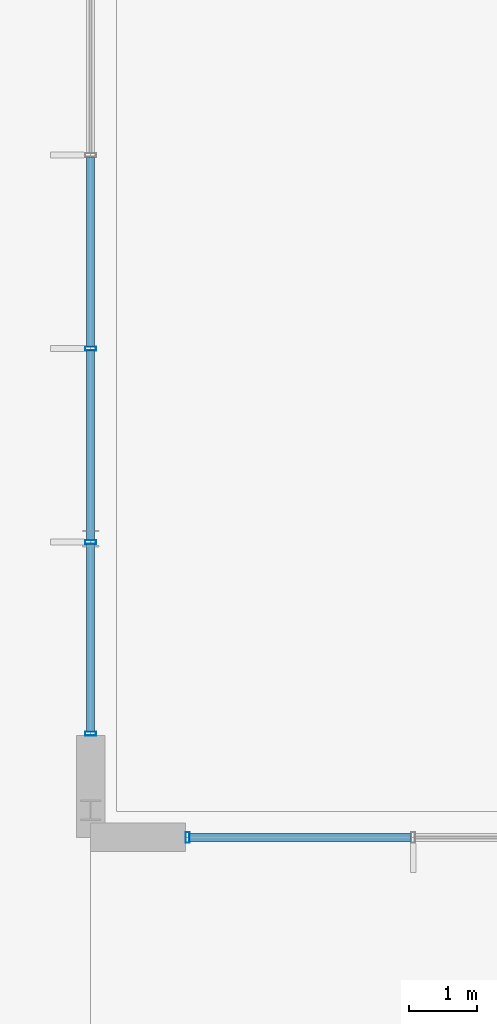
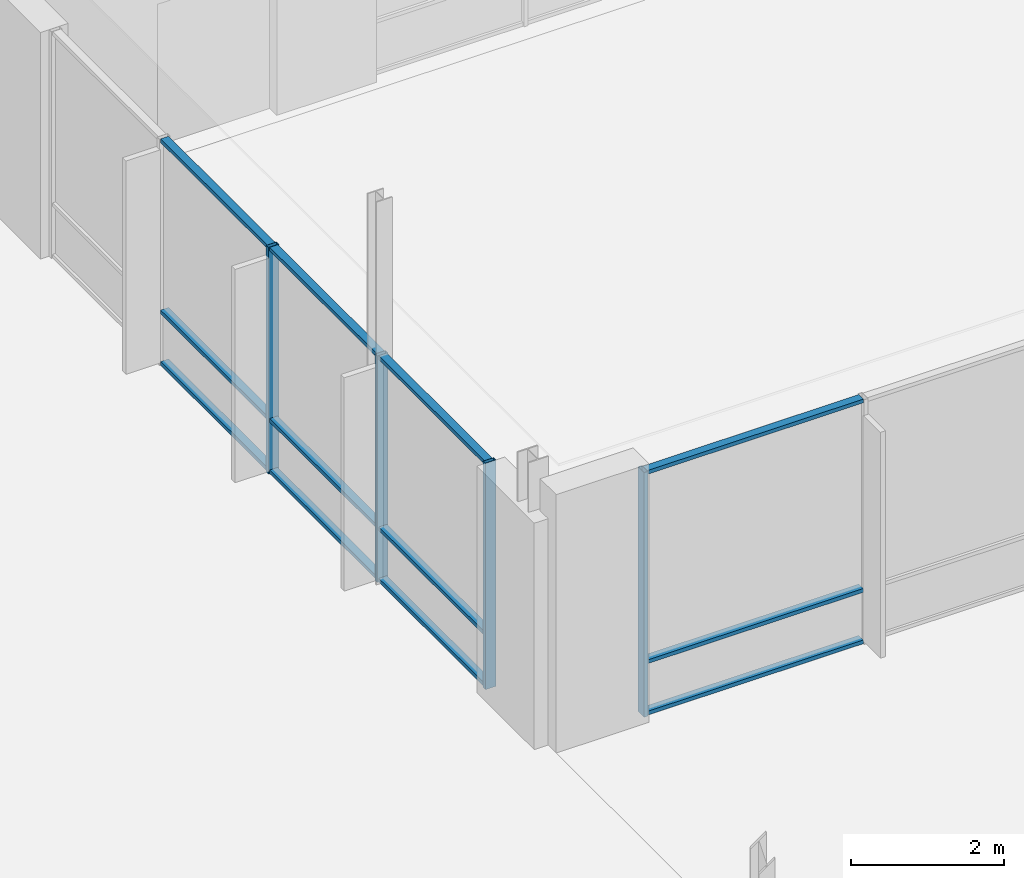
# One storey, part 125 of 233: 16 members, 2 elements without a shape of their own.
"""IFC4 building model written with IfcOpenShell, lengths in metres."""

from ifc_helpers import new_model, si_unit, direction, frame, origin, origin_2d, place, context, subcontext, project, spatial, hollow_rectangle, extrude, material, material_profile, profile_set, type_object, element, aggregate, save


model = new_model("IFC4")

# Units and contexts
model_context = context("Model", 3, precision=1e-05, world=origin(), true_north=direction((0.0, 1.0)))
body_context = subcontext(model_context, "Body", "Model", "MODEL_VIEW")
ifc_project = project(units=[si_unit("LENGTHUNIT", "METRE"), si_unit("AREAUNIT", "SQUARE_METRE"), si_unit("VOLUMEUNIT", "CUBIC_METRE"), si_unit("PLANEANGLEUNIT", "RADIAN"), si_unit("MASSUNIT", "GRAM", prefix="KILO")], contexts=[model_context])

# Site, building, storey
site_placement = place(None, origin())
site = spatial("IfcSite", under=ifc_project, at=site_placement, CompositionType="ELEMENT")
building_placement = place(site_placement, origin())
building = spatial("IfcBuilding", under=site, at=building_placement, Name="Zavelmont Quarter", CompositionType="ELEMENT")
storey_placement = place(building_placement, origin())
storey = spatial("IfcBuildingStorey", under=building, at=storey_placement, Name="L00", CompositionType="ELEMENT", Elevation=0.0)

# Curtain wall, member
ifc_material_1 = material(Name="Thermally broken aluminium and double low-E safety glazing", Category="aluminium")
curtain_wall_type_1 = type_object("IfcCurtainWallType", Name="CW-1340X390", PredefinedType="NOTDEFINED", material=ifc_material_1)
curtain_wall_1_placement = place(storey_placement, origin())
curtain_wall_1 = element("IfcCurtainWall", 1, at=curtain_wall_1_placement, inside=storey, type_object=curtain_wall_type_1, Name="L00 unitised curtain wall CW-1340X390", PredefinedType="NOTDEFINED")
ifc_material_2 = material(Name="Powder-coated aluminium EN AW-6063-T6", Category="aluminium")
ifc_material_profile_1 = material_profile(ifc_material_2, hollow_rectangle(XDim=0.06005859375, YDim=0.159912109375, WallThickness=0.00390625, at=origin_2d()), Name="CWM60X160")
ifc_profile_set_1 = profile_set([ifc_material_profile_1], Name="Powder-coated aluminium EN AW-6063-T6")
member_type_1 = type_object("IfcMemberType", Name="CWM01", PredefinedType="MULLION", material=ifc_profile_set_1)
member_1_placement = place(storey_placement, frame((93.429931640625, 101.60009765625, 0.0), z_axis=(0.0, 0.0, 1.0), x_axis=(1.0, 0.0, 0.0)))
member_1 = element("IfcMember", 2, at=member_1_placement, type_object=member_type_1, Name="CW-1340X390 mullion 1", PredefinedType="MULLION", context=body_context, shape_type="SweptSolid", body=[
    extrude(hollow_rectangle(XDim=0.06005859375, YDim=0.159912109375, WallThickness=0.00390625, at=origin_2d()), origin(), (0.0, 0.0, 1.0), 3.89990234375),
])

# Curtain wall, members
curtain_wall_type_2 = type_object("IfcCurtainWallType", Name="CW-1140X361", PredefinedType="NOTDEFINED", material=ifc_material_1)
curtain_wall_2_placement = place(storey_placement, origin())
curtain_wall_2 = element("IfcCurtainWall", 3, at=curtain_wall_2_placement, inside=storey, type_object=curtain_wall_type_2, Name="L00 unitised curtain wall CW-1140X361", PredefinedType="NOTDEFINED")
member_2_placement = place(storey_placement, frame((92.0, 103.1298828125, 0.0), z_axis=(0.0, 0.0, 1.0), x_axis=(0.0, 1.0, 0.0)))
member_2 = element("IfcMember", 4, at=member_2_placement, type_object=member_type_1, Name="CW-1140X361 mullion 1", PredefinedType="MULLION", context=body_context, shape_type="SweptSolid", body=[
    extrude(hollow_rectangle(XDim=0.06005859375, YDim=0.159912109375, WallThickness=0.00390625, at=origin_2d()), origin(), (0.0, 0.0, 1.0), 3.610107421875),
])
member_3_placement = place(storey_placement, frame((92.0, 105.949951171875, 0.0), z_axis=(0.0, 0.0, 1.0), x_axis=(0.0, 1.0, 0.0)))
member_3 = element("IfcMember", 5, at=member_3_placement, type_object=member_type_1, Name="CW-1140X361 mullion 2", PredefinedType="MULLION", context=body_context, shape_type="SweptSolid", body=[
    extrude(hollow_rectangle(XDim=0.06005859375, YDim=0.159912109375, WallThickness=0.00390625, at=origin_2d()), origin(), (0.0, 0.0, 1.0), 3.610107421875),
])
member_4_placement = place(storey_placement, frame((92.0, 108.800048828125, 0.0), z_axis=(0.0, 0.0, 1.0), x_axis=(0.0, 1.0, 0.0)))
member_4 = element("IfcMember", 6, at=member_4_placement, type_object=member_type_1, Name="CW-1140X361 mullion 3", PredefinedType="MULLION", context=body_context, shape_type="SweptSolid", body=[
    extrude(hollow_rectangle(XDim=0.06005859375, YDim=0.159912109375, WallThickness=0.00390625, at=origin_2d()), origin(), (0.0, 0.0, 1.0), 3.610107421875),
])

# Member
ifc_material_profile_2 = material_profile(ifc_material_2, hollow_rectangle(XDim=0.1201171875, YDim=0.06005859375, WallThickness=0.00390625, at=origin_2d()), Name="CWT60X120")
ifc_profile_set_2 = profile_set([ifc_material_profile_2], Name="Powder-coated aluminium EN AW-6063-T6")
member_type_2 = type_object("IfcMemberType", Name="CWT01", PredefinedType="NOTDEFINED", material=ifc_profile_set_2)
member_5_placement = place(storey_placement, frame((93.4599609375, 101.60009765625, 0.030029296875), z_axis=(1.0, 0.0, 0.0), x_axis=(0.0, 1.0, 0.0)))
member_5 = element("IfcMember", 7, at=member_5_placement, type_object=member_type_2, Name="CW-1340X390 transom 1.1", ObjectType="TRANSOM", PredefinedType="USERDEFINED", context=body_context, shape_type="SweptSolid", body=[
    extrude(hollow_rectangle(XDim=0.1201171875, YDim=0.06005859375, WallThickness=0.00390625, at=origin_2d()), origin(), (0.0, 0.0, 1.0), 3.260009765625),
])

member_6_placement = place(storey_placement, frame((93.4599609375, 101.60009765625, 0.85009765625), z_axis=(1.0, 0.0, 0.0), x_axis=(0.0, 1.0, 0.0)))
member_6 = element("IfcMember", 8, at=member_6_placement, type_object=member_type_2, Name="CW-1340X390 transom 1.2", ObjectType="TRANSOM", PredefinedType="USERDEFINED", context=body_context, shape_type="SweptSolid", body=[
    extrude(hollow_rectangle(XDim=0.1201171875, YDim=0.06005859375, WallThickness=0.00390625, at=origin_2d()), origin(), (0.0, 0.0, 1.0), 3.260009765625),
])

member_7_placement = place(storey_placement, frame((93.4599609375, 101.60009765625, 3.8701171875), z_axis=(1.0, 0.0, 0.0), x_axis=(0.0, 1.0, 0.0)))
member_7 = element("IfcMember", 9, at=member_7_placement, type_object=member_type_2, Name="CW-1340X390 transom 1.3", ObjectType="TRANSOM", PredefinedType="USERDEFINED", context=body_context, shape_type="SweptSolid", body=[
    extrude(hollow_rectangle(XDim=0.1201171875, YDim=0.06005859375, WallThickness=0.00390625, at=origin_2d()), origin(), (0.0, 0.0, 1.0), 3.260009765625),
])

aggregate(curtain_wall_1, [member_1, member_5, member_6, member_7])

member_8_placement = place(storey_placement, frame((92.0, 103.159912109375, 0.030029296875), z_axis=(0.0, 1.0, 0.0), x_axis=(-1.0, 0.0, 0.0)))
member_8 = element("IfcMember", 10, at=member_8_placement, type_object=member_type_2, Name="CW-1140X361 transom 1.1", ObjectType="TRANSOM", PredefinedType="USERDEFINED", context=body_context, shape_type="SweptSolid", body=[
    extrude(hollow_rectangle(XDim=0.1201171875, YDim=0.06005859375, WallThickness=0.00390625, at=origin_2d()), origin(), (0.0, 0.0, 1.0), 2.760009765625),
])

member_9_placement = place(storey_placement, frame((92.0, 103.159912109375, 0.85009765625), z_axis=(0.0, 1.0, 0.0), x_axis=(-1.0, 0.0, 0.0)))
member_9 = element("IfcMember", 11, at=member_9_placement, type_object=member_type_2, Name="CW-1140X361 transom 1.2", ObjectType="TRANSOM", PredefinedType="USERDEFINED", context=body_context, shape_type="SweptSolid", body=[
    extrude(hollow_rectangle(XDim=0.1201171875, YDim=0.06005859375, WallThickness=0.00390625, at=origin_2d()), origin(), (0.0, 0.0, 1.0), 2.760009765625),
])

member_10_placement = place(storey_placement, frame((92.0, 103.159912109375, 3.580078125), z_axis=(0.0, 1.0, 0.0), x_axis=(-1.0, 0.0, 0.0)))
member_10 = element("IfcMember", 12, at=member_10_placement, type_object=member_type_2, Name="CW-1140X361 transom 1.3", ObjectType="TRANSOM", PredefinedType="USERDEFINED", context=body_context, shape_type="SweptSolid", body=[
    extrude(hollow_rectangle(XDim=0.1201171875, YDim=0.06005859375, WallThickness=0.00390625, at=origin_2d()), origin(), (0.0, 0.0, 1.0), 2.760009765625),
])

member_11_placement = place(storey_placement, frame((92.0, 105.97998046875, 0.030029296875), z_axis=(0.0, 1.0, 0.0), x_axis=(-1.0, 0.0, 0.0)))
member_11 = element("IfcMember", 13, at=member_11_placement, type_object=member_type_2, Name="CW-1140X361 transom 2.1", ObjectType="TRANSOM", PredefinedType="USERDEFINED", context=body_context, shape_type="SweptSolid", body=[
    extrude(hollow_rectangle(XDim=0.1201171875, YDim=0.06005859375, WallThickness=0.00390625, at=origin_2d()), origin(), (0.0, 0.0, 1.0), 2.7900390625),
])

member_12_placement = place(storey_placement, frame((92.0, 105.97998046875, 0.85009765625), z_axis=(0.0, 1.0, 0.0), x_axis=(-1.0, 0.0, 0.0)))
member_12 = element("IfcMember", 14, at=member_12_placement, type_object=member_type_2, Name="CW-1140X361 transom 2.2", ObjectType="TRANSOM", PredefinedType="USERDEFINED", context=body_context, shape_type="SweptSolid", body=[
    extrude(hollow_rectangle(XDim=0.1201171875, YDim=0.06005859375, WallThickness=0.00390625, at=origin_2d()), origin(), (0.0, 0.0, 1.0), 2.7900390625),
])

member_13_placement = place(storey_placement, frame((92.0, 105.97998046875, 3.580078125), z_axis=(0.0, 1.0, 0.0), x_axis=(-1.0, 0.0, 0.0)))
member_13 = element("IfcMember", 15, at=member_13_placement, type_object=member_type_2, Name="CW-1140X361 transom 2.3", ObjectType="TRANSOM", PredefinedType="USERDEFINED", context=body_context, shape_type="SweptSolid", body=[
    extrude(hollow_rectangle(XDim=0.1201171875, YDim=0.06005859375, WallThickness=0.00390625, at=origin_2d()), origin(), (0.0, 0.0, 1.0), 2.7900390625),
])

member_14_placement = place(storey_placement, frame((92.0, 108.830078125, 0.030029296875), z_axis=(0.0, 1.0, 0.0), x_axis=(-1.0, 0.0, 0.0)))
member_14 = element("IfcMember", 16, at=member_14_placement, type_object=member_type_2, Name="CW-1140X361 transom 3.1", ObjectType="TRANSOM", PredefinedType="USERDEFINED", context=body_context, shape_type="SweptSolid", body=[
    extrude(hollow_rectangle(XDim=0.1201171875, YDim=0.06005859375, WallThickness=0.00390625, at=origin_2d()), origin(), (0.0, 0.0, 1.0), 2.7900390625),
])

member_15_placement = place(storey_placement, frame((92.0, 108.830078125, 0.85009765625), z_axis=(0.0, 1.0, 0.0), x_axis=(-1.0, 0.0, 0.0)))
member_15 = element("IfcMember", 17, at=member_15_placement, type_object=member_type_2, Name="CW-1140X361 transom 3.2", ObjectType="TRANSOM", PredefinedType="USERDEFINED", context=body_context, shape_type="SweptSolid", body=[
    extrude(hollow_rectangle(XDim=0.1201171875, YDim=0.06005859375, WallThickness=0.00390625, at=origin_2d()), origin(), (0.0, 0.0, 1.0), 2.7900390625),
])

member_16_placement = place(storey_placement, frame((92.0, 108.830078125, 3.580078125), z_axis=(0.0, 1.0, 0.0), x_axis=(-1.0, 0.0, 0.0)))
member_16 = element("IfcMember", 18, at=member_16_placement, type_object=member_type_2, Name="CW-1140X361 transom 3.3", ObjectType="TRANSOM", PredefinedType="USERDEFINED", context=body_context, shape_type="SweptSolid", body=[
    extrude(hollow_rectangle(XDim=0.1201171875, YDim=0.06005859375, WallThickness=0.00390625, at=origin_2d()), origin(), (0.0, 0.0, 1.0), 2.7900390625),
])

aggregate(curtain_wall_2, [member_2, member_3, member_4, member_8, member_9, member_10, member_11, member_12, member_13, member_14, member_15, member_16])

save(model, "model.ifc")
